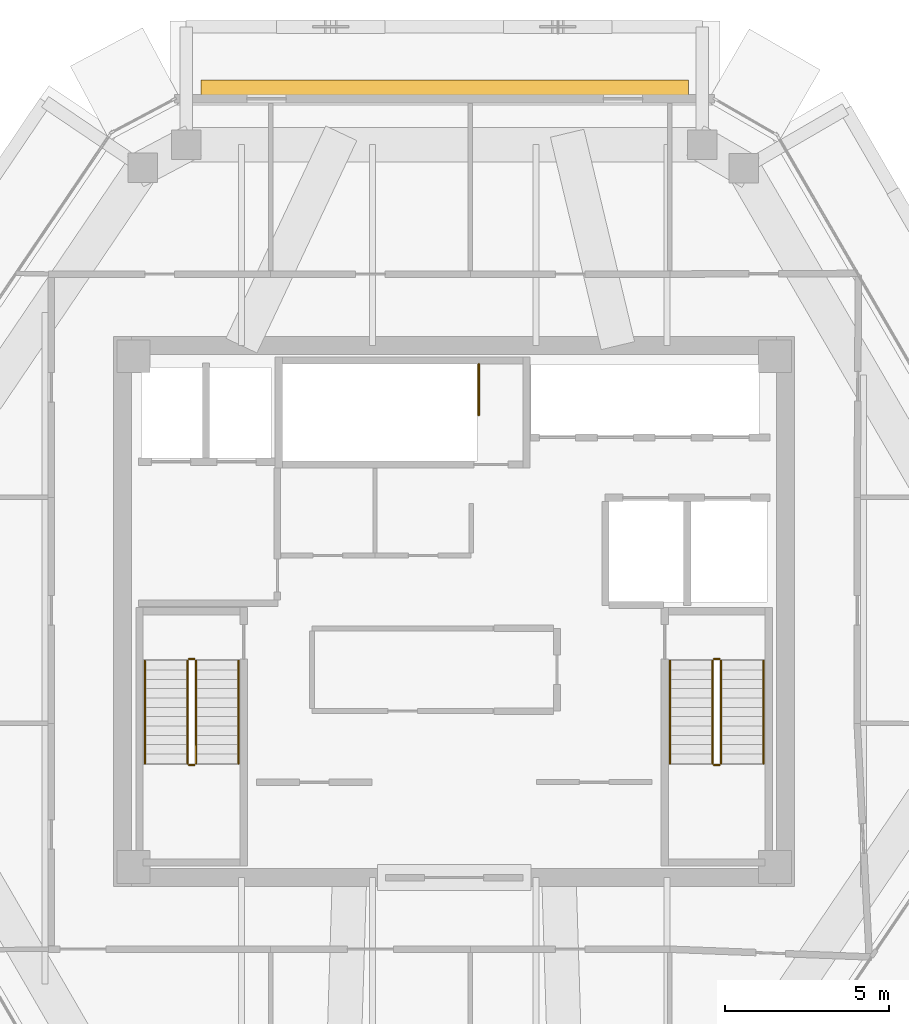
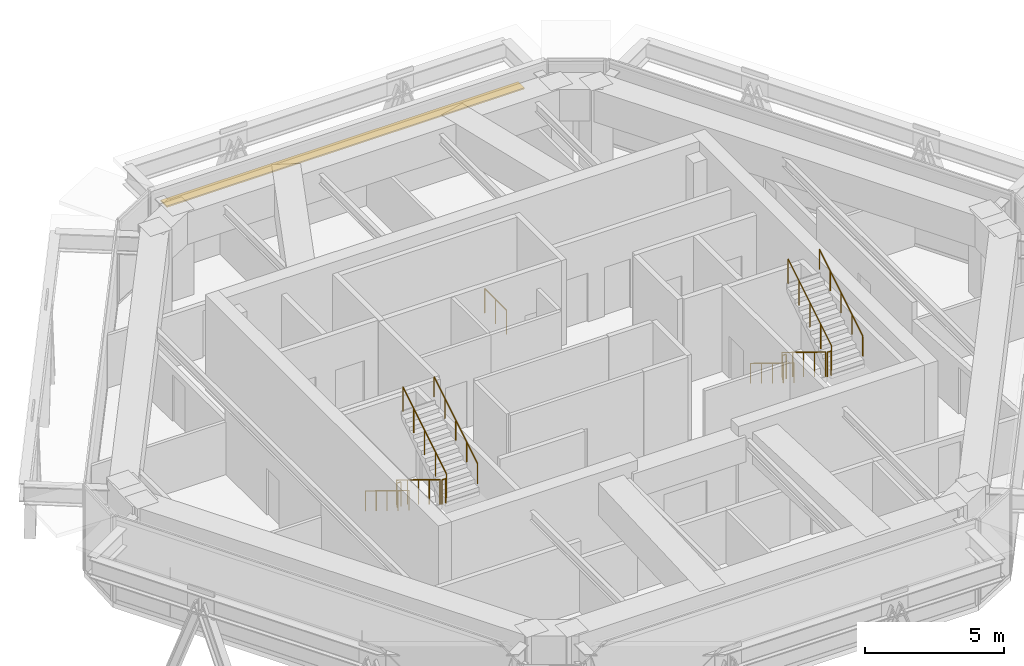
# One storey, part 13 of 13: 13 railings, 1 shading device.
"""IFC4 building model written with IfcOpenShell, lengths in metres."""

from ifc_helpers import new_model, si_unit, direction, frame, origin, origin_2d, place, context, subcontext, project, spatial, rectangle, circle, extrude, source, transform, mapped, material, layer, layer_set, type_object, type_shapes, element, save


model = new_model("IFC4")

# Units and contexts
model_context = context("Model", 3, precision=1e-05, world=origin(), true_north=direction((0.0, 1.0)))
body_context = subcontext(model_context, "Body", "Model", "MODEL_VIEW")
ifc_project = project(units=[si_unit("LENGTHUNIT", "METRE"), si_unit("AREAUNIT", "SQUARE_METRE"), si_unit("VOLUMEUNIT", "CUBIC_METRE"), si_unit("PLANEANGLEUNIT", "RADIAN"), si_unit("MASSUNIT", "GRAM", prefix="KILO")], contexts=[model_context])

# Site, building, storey
site_placement = place(None, origin())
site = spatial("IfcSite", under=ifc_project, at=site_placement, CompositionType="ELEMENT")
building_placement = place(site_placement, origin())
building = spatial("IfcBuilding", under=site, at=building_placement, Name="Durnholm Broadcast Tower", CompositionType="ELEMENT")
storey_placement = place(building_placement, frame((0.0, 0.0, 268.300048828125)))
storey = spatial("IfcBuildingStorey", under=building, at=storey_placement, Name="L75", CompositionType="ELEMENT", Elevation=268.300048828125)

# Railings
ifc_material_1 = material(Name="Painted Tubular Steel Stair Guardrail", Category="steel")
railing_type_1 = type_object("IfcRailingType", Name="RAIL-ST-GRD", PredefinedType="GUARDRAIL", material=ifc_material_1)
railing_1_placement = place(storey_placement, frame((-8.14990234375, -1.5, 0.175048828125)))
element("IfcRailing", 1, at=railing_1_placement, inside=storey, type_object=railing_type_1, Name="L75 ST-1 stair guard 1", PredefinedType="GUARDRAIL", context=body_context, shape_type="SweptSolid", body=[
    extrude(circle(Radius=0.02392578125, at=origin_2d()), frame((0.0, 0.0, 1.076171875), z_axis=(0.0, -0.852195625947, 0.523223293744), x_axis=(1.0, 0.0, 0.0)), (0.0, 0.0, 1.0), 3.6787109375),
    extrude(circle(Radius=0.02099609375, at=origin_2d()), origin(), (0.0, 0.0, 1.0), 1.052001953125),
    extrude(circle(Radius=0.02099609375, at=origin_2d()), frame((0.0, -0.78369140625, 0.481201171875)), (0.0, 0.0, 1.0), 1.052001953125),
    extrude(circle(Radius=0.02099609375, at=origin_2d()), frame((0.0, -1.5673828125, 0.96240234375)), (0.0, 0.0, 1.0), 1.052001953125),
    extrude(circle(Radius=0.02099609375, at=origin_2d()), frame((0.0, -2.351318359375, 1.443603515625)), (0.0, 0.0, 1.0), 1.052001953125),
    extrude(circle(Radius=0.02099609375, at=origin_2d()), frame((0.0, -3.135009765625, 1.9248046875)), (0.0, 0.0, 1.0), 1.052001953125),
])
railing_2_placement = place(storey_placement, frame((-8.10009765625, -4.68505859375, 2.099853515625)))
element("IfcRailing", 2, at=railing_2_placement, inside=storey, type_object=railing_type_1, Name="L75 ST-1 stair guard 2", PredefinedType="GUARDRAIL", context=body_context, shape_type="SweptSolid", body=[
    extrude(circle(Radius=0.02392578125, at=origin_2d()), frame((0.0, 0.0, 1.076171875), z_axis=(1.0, 0.0, 0.0), x_axis=(0.0, 1.0, 0.0)), (0.0, 0.0, 1.0), 0.16015625),
    extrude(circle(Radius=0.02099609375, at=origin_2d()), origin(), (0.0, 0.0, 1.0), 1.052001953125),
    extrude(circle(Radius=0.02099609375, at=origin_2d()), frame((0.16015625, 0.0, 0.0)), (0.0, 0.0, 1.0), 1.052001953125),
])
railing_3_placement = place(storey_placement, frame((-7.889892578125, -4.635009765625, 2.27490234375)))
element("IfcRailing", 3, at=railing_3_placement, inside=storey, type_object=railing_type_1, Name="L75 ST-1 stair guard 3", PredefinedType="GUARDRAIL", context=body_context, shape_type="SweptSolid", body=[
    extrude(circle(Radius=0.02392578125, at=origin_2d()), frame((0.0, 0.0, 1.076171875), z_axis=(0.0, 0.852166034122, 0.523271488128), x_axis=(-1.0, 0.0, 0.0)), (0.0, 0.0, 1.0), 3.678955078125),
    extrude(circle(Radius=0.02099609375, at=origin_2d()), origin(), (0.0, 0.0, 1.0), 1.052001953125),
    extrude(circle(Radius=0.02099609375, at=origin_2d()), frame((0.0, 0.78369140625, 0.481201171875)), (0.0, 0.0, 1.0), 1.052001953125),
    extrude(circle(Radius=0.02099609375, at=origin_2d()), frame((0.0, 1.5673828125, 0.96240234375)), (0.0, 0.0, 1.0), 1.052001953125),
    extrude(circle(Radius=0.02099609375, at=origin_2d()), frame((0.0, 2.351318359375, 1.44384765625)), (0.0, 0.0, 1.0), 1.052001953125),
    extrude(circle(Radius=0.02099609375, at=origin_2d()), frame((0.0, 3.135009765625, 1.925048828125)), (0.0, 0.0, 1.0), 1.052001953125),
])
railing_4_placement = place(storey_placement, frame((-8.10009765625, -1.449951171875, 0.0)))
element("IfcRailing", 4, at=railing_4_placement, inside=storey, type_object=railing_type_1, Name="L75 ST-1 stair guard 4", PredefinedType="GUARDRAIL", context=body_context, shape_type="SweptSolid", body=[
    extrude(circle(Radius=0.02392578125, at=origin_2d()), frame((0.0, 0.0, 1.076171875), z_axis=(1.0, 0.0, 0.0), x_axis=(0.0, 1.0, 0.0)), (0.0, 0.0, 1.0), 0.16015625),
    extrude(circle(Radius=0.02099609375, at=origin_2d()), origin(), (0.0, 0.0, 1.0), 1.052001953125),
    extrude(circle(Radius=0.02099609375, at=origin_2d()), frame((0.16015625, 0.0, 0.0)), (0.0, 0.0, 1.0), 1.052001953125),
])
railing_5_placement = place(storey_placement, frame((7.889892578125, -1.5, 0.175048828125)))
element("IfcRailing", 5, at=railing_5_placement, inside=storey, type_object=railing_type_1, Name="L75 ST-2 stair guard 1", PredefinedType="GUARDRAIL", context=body_context, shape_type="SweptSolid", body=[
    extrude(circle(Radius=0.02392578125, at=origin_2d()), frame((0.0, 0.0, 1.076171875), z_axis=(0.0, -0.852195625947, 0.523223293744), x_axis=(1.0, 0.0, 0.0)), (0.0, 0.0, 1.0), 3.6787109375),
    extrude(circle(Radius=0.02099609375, at=origin_2d()), origin(), (0.0, 0.0, 1.0), 1.052001953125),
    extrude(circle(Radius=0.02099609375, at=origin_2d()), frame((0.0, -0.78369140625, 0.481201171875)), (0.0, 0.0, 1.0), 1.052001953125),
    extrude(circle(Radius=0.02099609375, at=origin_2d()), frame((0.0, -1.5673828125, 0.96240234375)), (0.0, 0.0, 1.0), 1.052001953125),
    extrude(circle(Radius=0.02099609375, at=origin_2d()), frame((0.0, -2.351318359375, 1.443603515625)), (0.0, 0.0, 1.0), 1.052001953125),
    extrude(circle(Radius=0.02099609375, at=origin_2d()), frame((0.0, -3.135009765625, 1.9248046875)), (0.0, 0.0, 1.0), 1.052001953125),
])
railing_6_placement = place(storey_placement, frame((7.93994140625, -4.68505859375, 2.099853515625)))
element("IfcRailing", 6, at=railing_6_placement, inside=storey, type_object=railing_type_1, Name="L75 ST-2 stair guard 2", PredefinedType="GUARDRAIL", context=body_context, shape_type="SweptSolid", body=[
    extrude(circle(Radius=0.02392578125, at=origin_2d()), frame((0.0, 0.0, 1.076171875), z_axis=(1.0, 0.0, 0.0), x_axis=(0.0, 1.0, 0.0)), (0.0, 0.0, 1.0), 0.16015625),
    extrude(circle(Radius=0.02099609375, at=origin_2d()), origin(), (0.0, 0.0, 1.0), 1.052001953125),
    extrude(circle(Radius=0.02099609375, at=origin_2d()), frame((0.16015625, 0.0, 0.0)), (0.0, 0.0, 1.0), 1.052001953125),
])
railing_7_placement = place(storey_placement, frame((8.14990234375, -4.635009765625, 2.27490234375)))
element("IfcRailing", 7, at=railing_7_placement, inside=storey, type_object=railing_type_1, Name="L75 ST-2 stair guard 3", PredefinedType="GUARDRAIL", context=body_context, shape_type="SweptSolid", body=[
    extrude(circle(Radius=0.02392578125, at=origin_2d()), frame((0.0, 0.0, 1.076171875), z_axis=(0.0, 0.852166034122, 0.523271488128), x_axis=(-1.0, 0.0, 0.0)), (0.0, 0.0, 1.0), 3.678955078125),
    extrude(circle(Radius=0.02099609375, at=origin_2d()), origin(), (0.0, 0.0, 1.0), 1.052001953125),
    extrude(circle(Radius=0.02099609375, at=origin_2d()), frame((0.0, 0.78369140625, 0.481201171875)), (0.0, 0.0, 1.0), 1.052001953125),
    extrude(circle(Radius=0.02099609375, at=origin_2d()), frame((0.0, 1.5673828125, 0.96240234375)), (0.0, 0.0, 1.0), 1.052001953125),
    extrude(circle(Radius=0.02099609375, at=origin_2d()), frame((0.0, 2.351318359375, 1.44384765625)), (0.0, 0.0, 1.0), 1.052001953125),
    extrude(circle(Radius=0.02099609375, at=origin_2d()), frame((0.0, 3.135009765625, 1.925048828125)), (0.0, 0.0, 1.0), 1.052001953125),
])
railing_8_placement = place(storey_placement, frame((7.93994140625, -1.449951171875, 0.0)))
element("IfcRailing", 8, at=railing_8_placement, inside=storey, type_object=railing_type_1, Name="L75 ST-2 stair guard 4", PredefinedType="GUARDRAIL", context=body_context, shape_type="SweptSolid", body=[
    extrude(circle(Radius=0.02392578125, at=origin_2d()), frame((0.0, 0.0, 1.076171875), z_axis=(1.0, 0.0, 0.0), x_axis=(0.0, 1.0, 0.0)), (0.0, 0.0, 1.0), 0.16015625),
    extrude(circle(Radius=0.02099609375, at=origin_2d()), origin(), (0.0, 0.0, 1.0), 1.052001953125),
    extrude(circle(Radius=0.02099609375, at=origin_2d()), frame((0.16015625, 0.0, 0.0)), (0.0, 0.0, 1.0), 1.052001953125),
])
railing_9_placement = place(storey_placement, frame((0.75, 7.56005859375, 0.0)))
element("IfcRailing", 9, at=railing_9_placement, inside=storey, type_object=railing_type_1, Name="L75 ST-3 top well guard 1", PredefinedType="GUARDRAIL", context=body_context, shape_type="SweptSolid", body=[
    extrude(circle(Radius=0.02392578125, at=origin_2d()), frame((0.0, 0.0, 1.076171875), z_axis=(0.0, -1.0, 0.0), x_axis=(1.0, 0.0, 0.0)), (0.0, 0.0, 1.0), 1.56005859375),
    extrude(circle(Radius=0.02099609375, at=origin_2d()), origin(), (0.0, 0.0, 1.0), 1.052001953125),
    extrude(circle(Radius=0.02099609375, at=origin_2d()), frame((0.0, -0.780029296875, 0.0)), (0.0, 0.0, 1.0), 1.052001953125),
    extrude(circle(Radius=0.02099609375, at=origin_2d()), frame((0.0, -1.56005859375, 0.0)), (0.0, 0.0, 1.0), 1.052001953125),
])
ifc_material_2 = material(Name="Brushed Stainless Steel Handrail", Category="steel")
railing_type_2 = type_object("IfcRailingType", Name="RAIL-ST-HND", PredefinedType="HANDRAIL", material=ifc_material_2)
railing_10_placement = place(storey_placement, frame((-9.449951171875, -1.5, 0.349853515625)))
element("IfcRailing", 10, at=railing_10_placement, inside=storey, type_object=railing_type_2, Name="L75 ST-1 stair handrail 1", PredefinedType="HANDRAIL", context=body_context, shape_type="SweptSolid", body=[
    extrude(circle(Radius=0.02392578125, at=origin_2d()), frame((0.0, 0.0, 0.8759765625), z_axis=(0.0, -0.852166034122, 0.523271488128), x_axis=(1.0, 0.0, 0.0)), (0.0, 0.0, 1.0), 3.678955078125),
    extrude(circle(Radius=0.02099609375, at=origin_2d()), origin(), (0.0, 0.0, 1.0), 0.851806640625),
    extrude(circle(Radius=0.02099609375, at=origin_2d()), frame((0.0, -0.78369140625, 0.481201171875)), (0.0, 0.0, 1.0), 0.851806640625),
    extrude(circle(Radius=0.02099609375, at=origin_2d()), frame((0.0, -1.5673828125, 0.96240234375)), (0.0, 0.0, 1.0), 0.851806640625),
    extrude(circle(Radius=0.02099609375, at=origin_2d()), frame((0.0, -2.351318359375, 1.44384765625)), (0.0, 0.0, 1.0), 0.851806640625),
    extrude(circle(Radius=0.02099609375, at=origin_2d()), frame((0.0, -3.135009765625, 1.925048828125)), (0.0, 0.0, 1.0), 0.851806640625),
])
railing_11_placement = place(storey_placement, frame((-6.590087890625, -4.635009765625, 2.449951171875)))
element("IfcRailing", 11, at=railing_11_placement, inside=storey, type_object=railing_type_2, Name="L75 ST-1 stair handrail 2", PredefinedType="HANDRAIL", context=body_context, shape_type="SweptSolid", body=[
    extrude(circle(Radius=0.02392578125, at=origin_2d()), frame((0.0, 0.0, 0.8759765625), z_axis=(0.0, 0.852166034122, 0.523271488128), x_axis=(-1.0, 0.0, 0.0)), (0.0, 0.0, 1.0), 3.678955078125),
    extrude(circle(Radius=0.02099609375, at=origin_2d()), origin(), (0.0, 0.0, 1.0), 0.851806640625),
    extrude(circle(Radius=0.02099609375, at=origin_2d()), frame((0.0, 0.78369140625, 0.481201171875)), (0.0, 0.0, 1.0), 0.851806640625),
    extrude(circle(Radius=0.02099609375, at=origin_2d()), frame((0.0, 1.5673828125, 0.96240234375)), (0.0, 0.0, 1.0), 0.851806640625),
    extrude(circle(Radius=0.02099609375, at=origin_2d()), frame((0.0, 2.351318359375, 1.44384765625)), (0.0, 0.0, 1.0), 0.851806640625),
    extrude(circle(Radius=0.02099609375, at=origin_2d()), frame((0.0, 3.135009765625, 1.925048828125)), (0.0, 0.0, 1.0), 0.851806640625),
])
railing_12_placement = place(storey_placement, frame((6.590087890625, -1.5, 0.349853515625)))
element("IfcRailing", 12, at=railing_12_placement, inside=storey, type_object=railing_type_2, Name="L75 ST-2 stair handrail 1", PredefinedType="HANDRAIL", context=body_context, shape_type="SweptSolid", body=[
    extrude(circle(Radius=0.02392578125, at=origin_2d()), frame((0.0, 0.0, 0.8759765625), z_axis=(0.0, -0.852166034122, 0.523271488128), x_axis=(1.0, 0.0, 0.0)), (0.0, 0.0, 1.0), 3.678955078125),
    extrude(circle(Radius=0.02099609375, at=origin_2d()), origin(), (0.0, 0.0, 1.0), 0.851806640625),
    extrude(circle(Radius=0.02099609375, at=origin_2d()), frame((0.0, -0.78369140625, 0.481201171875)), (0.0, 0.0, 1.0), 0.851806640625),
    extrude(circle(Radius=0.02099609375, at=origin_2d()), frame((0.0, -1.5673828125, 0.96240234375)), (0.0, 0.0, 1.0), 0.851806640625),
    extrude(circle(Radius=0.02099609375, at=origin_2d()), frame((0.0, -2.351318359375, 1.44384765625)), (0.0, 0.0, 1.0), 0.851806640625),
    extrude(circle(Radius=0.02099609375, at=origin_2d()), frame((0.0, -3.135009765625, 1.925048828125)), (0.0, 0.0, 1.0), 0.851806640625),
])
railing_13_placement = place(storey_placement, frame((9.449951171875, -4.635009765625, 2.449951171875)))
element("IfcRailing", 13, at=railing_13_placement, inside=storey, type_object=railing_type_2, Name="L75 ST-2 stair handrail 2", PredefinedType="HANDRAIL", context=body_context, shape_type="SweptSolid", body=[
    extrude(circle(Radius=0.02392578125, at=origin_2d()), frame((0.0, 0.0, 0.8759765625), z_axis=(0.0, 0.852166034122, 0.523271488128), x_axis=(-1.0, 0.0, 0.0)), (0.0, 0.0, 1.0), 3.678955078125),
    extrude(circle(Radius=0.02099609375, at=origin_2d()), origin(), (0.0, 0.0, 1.0), 0.851806640625),
    extrude(circle(Radius=0.02099609375, at=origin_2d()), frame((0.0, 0.78369140625, 0.481201171875)), (0.0, 0.0, 1.0), 0.851806640625),
    extrude(circle(Radius=0.02099609375, at=origin_2d()), frame((0.0, 1.5673828125, 0.96240234375)), (0.0, 0.0, 1.0), 0.851806640625),
    extrude(circle(Radius=0.02099609375, at=origin_2d()), frame((0.0, 2.351318359375, 1.44384765625)), (0.0, 0.0, 1.0), 0.851806640625),
    extrude(circle(Radius=0.02099609375, at=origin_2d()), frame((0.0, 3.135009765625, 1.925048828125)), (0.0, 0.0, 1.0), 0.851806640625),
])

# Shading device
ifc_material_3 = material(Name="Extruded Aluminium Sunshade Fin", Category="aluminium")
ifc_layer = layer(ifc_material_3, 0.06005859375)
ifc_layer_set = layer_set([ifc_layer], Name="Extruded Aluminium Sunshade Fin")
shading_device_type = type_object("IfcShadingDeviceType", Name="SHD-SUN-BLADE", PredefinedType="JALOUSIE", material=ifc_layer_set)
shared_shape = source(origin(), body_context, "Body", "SweptSolid", [
    extrude(rectangle(XDim=14.890380859375, YDim=0.449951171875, at=origin_2d()), origin(), (0.0, 0.0, 1.0), 0.06005859375),
])
type_shapes(shading_device_type, [shared_shape])
shading_device_placement = place(storey_placement, frame((-0.291259765625, 16.011962890625, 2.619873046875), z_axis=(0.0, 0.0, 1.0), x_axis=(1.0, 0.0, 0.0)))
element("IfcShadingDevice", 14, at=shading_device_placement, inside=storey, type_object=shading_device_type, Name="L75 north solar shading fin", PredefinedType="JALOUSIE", context=body_context, shape_type="MappedRepresentation", body=[
    mapped(shared_shape, transform((0.0, 0.0, 0.0), x_axis=(1.0, 0.0, 0.0), y_axis=(0.0, 1.0, 0.0), z_axis=(0.0, 0.0, 1.0), scale=1.0)),
])

save(model, "model.ifc")
